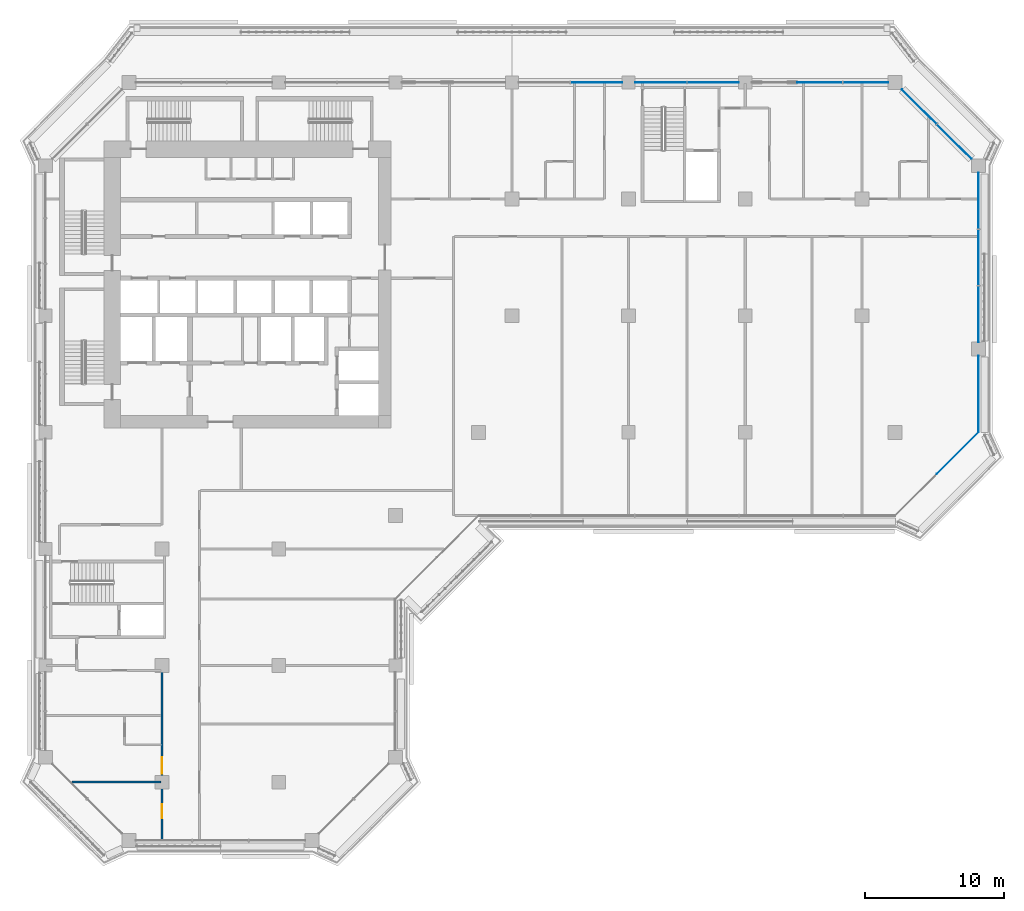
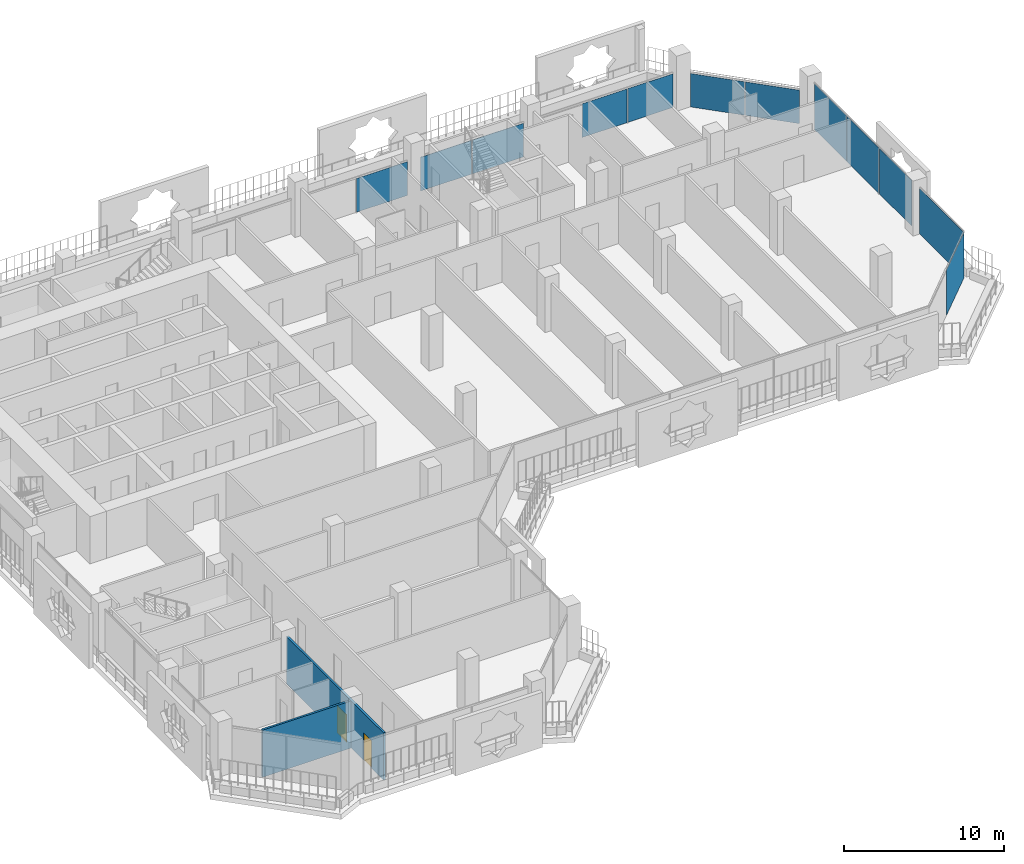
# One storey, part 9 of 21: 12 plates, 2 doors, 2 walls, 2 openings, 4 elements without a shape of their own.
"""IFC4 building model written with IfcOpenShell, lengths in metres."""

from ifc_helpers import new_model, si_unit, direction, frame, frame_2d, origin, origin_2d, place, context, subcontext, project, spatial, rectangle, extrude, material, layer, layer_set, type_object, element, fill, aggregate, save


model = new_model("IFC4")

# Units and contexts
model_context = context("Model", 3, precision=1e-05, world=origin(), true_north=direction((0.0, 1.0)))
body_context = subcontext(model_context, "Body", "Model", "MODEL_VIEW")
ifc_project = project(units=[si_unit("LENGTHUNIT", "METRE"), si_unit("AREAUNIT", "SQUARE_METRE"), si_unit("VOLUMEUNIT", "CUBIC_METRE"), si_unit("PLANEANGLEUNIT", "RADIAN"), si_unit("MASSUNIT", "GRAM", prefix="KILO")], contexts=[model_context])

# Site, building, storey
site_placement = place(None, origin())
site = spatial("IfcSite", under=ifc_project, at=site_placement, CompositionType="ELEMENT")
building_placement = place(site_placement, origin())
building = spatial("IfcBuilding", under=site, at=building_placement, Name="Kawkab Arch Medical Tower", CompositionType="ELEMENT")
storey_placement = place(building_placement, frame((0.0, 0.0, 200.39990234375)))
storey = spatial("IfcBuildingStorey", under=building, at=storey_placement, Name="L46", CompositionType="ELEMENT", Elevation=200.39990234375)

# Curtain wall, plates
ifc_material_1 = material(Name="Bronze anodised aluminium curtain wall frame", Category="aluminium")
ifc_layer_1 = layer(ifc_material_1, 0.159912109375)
ifc_layer_set_1 = layer_set([ifc_layer_1], Name="Bronze anodised aluminium curtain wall frame")
curtain_wall_type_1 = type_object("IfcCurtainWallType", Name="CW1 ward curtain wall", PredefinedType="NOTDEFINED", material=ifc_layer_set_1)
placement = place(storey_placement, origin())
curtain_wall_1 = element("IfcCurtainWall", 1, at=placement, inside=storey, type_object=curtain_wall_type_1, Name="CW1 Ward curtain wall R09", PredefinedType="NOTDEFINED")
ifc_material_2 = material(Name="Tinted insulating glass, bronze low-e coating", Category="glass")
ifc_layer_2 = layer(ifc_material_2, 0.031982421875)
ifc_layer_set_2 = layer_set([ifc_layer_2], Name="Tinted insulating glass, bronze low-e coating")
plate_type_1 = type_object("IfcPlateType", Name="CW1 glazing unit 32", PredefinedType="CURTAIN_PANEL", material=ifc_layer_set_2)
plate_1_placement = place(storey_placement, frame((67.199951171875, -22.449951171875, 0.0), z_axis=(0.0, 0.0, 1.0), x_axis=(0.0, 1.0, 0.0)))
plate_1 = element("IfcPlate", 2, at=plate_1_placement, type_object=plate_type_1, Name="CW1 glazing unit 1.1", PredefinedType="CURTAIN_PANEL", context=body_context, shape_type="SweptSolid", body=[
    extrude(rectangle(XDim=5.5, YDim=0.031982421875, at=origin_2d()), origin(), (0.0, 0.0, 1.0), 3.47998046875),
])
plate_2_placement = place(storey_placement, frame((67.199951171875, -16.681640625, 0.0), z_axis=(0.0, 0.0, 1.0), x_axis=(0.0, 1.0, 0.0)))
plate_2 = element("IfcPlate", 3, at=plate_2_placement, type_object=plate_type_1, Name="CW1 glazing unit 2.1", PredefinedType="CURTAIN_PANEL", context=body_context, shape_type="SweptSolid", body=[
    extrude(rectangle(XDim=4.03662109375, YDim=0.031982421875, at=origin_2d()), origin(), (0.0, 0.0, 1.0), 3.47998046875),
])
plate_3_placement = place(storey_placement, frame((67.199951171875, -12.60009765625, 0.0), z_axis=(0.0, 0.0, 1.0), x_axis=(0.0, 1.0, 0.0)))
plate_3 = element("IfcPlate", 4, at=plate_3_placement, type_object=plate_type_1, Name="CW1 glazing unit 2.2", PredefinedType="CURTAIN_PANEL", context=body_context, shape_type="SweptSolid", body=[
    extrude(rectangle(XDim=4.006591796875, YDim=0.031982421875, at=origin_2d()), origin(), (0.0, 0.0, 1.0), 3.47998046875),
])
plate_4_placement = place(storey_placement, frame((67.199951171875, -8.518310546875, 0.0), z_axis=(0.0, 0.0, 1.0), x_axis=(0.0, 1.0, 0.0)))
plate_4 = element("IfcPlate", 5, at=plate_4_placement, type_object=plate_type_1, Name="CW1 glazing unit 2.3", PredefinedType="CURTAIN_PANEL", context=body_context, shape_type="SweptSolid", body=[
    extrude(rectangle(XDim=4.03662109375, YDim=0.031982421875, at=origin_2d()), origin(), (0.0, 0.0, 1.0), 3.47998046875),
])
aggregate(curtain_wall_1, [plate_1, plate_2, plate_3, plate_4])

curtain_wall_2 = element("IfcCurtainWall", 6, at=placement, inside=storey, type_object=curtain_wall_type_1, Name="CW1 Ward curtain wall R11", PredefinedType="NOTDEFINED")
plate_5_placement = place(storey_placement, frame((59.077392578125, 0.0, 0.0), z_axis=(0.0, 0.0, 1.0), x_axis=(-1.0, 0.0, 0.0)))
plate_5 = element("IfcPlate", 7, at=plate_5_placement, type_object=plate_type_1, Name="CW1 glazing unit 1.1", PredefinedType="CURTAIN_PANEL", context=body_context, shape_type="SweptSolid", body=[
    extrude(rectangle(XDim=3.2451171875, YDim=0.031982421875, at=origin_2d()), origin(), (0.0, 0.0, 1.0), 2.580078125),
])
plate_6_placement = place(storey_placement, frame((55.7724609375, 0.0, 0.0), z_axis=(0.0, 0.0, 1.0), x_axis=(-1.0, 0.0, 0.0)))
plate_6 = element("IfcPlate", 8, at=plate_6_placement, type_object=plate_type_1, Name="CW1 glazing unit 1.2", PredefinedType="CURTAIN_PANEL", context=body_context, shape_type="SweptSolid", body=[
    extrude(rectangle(XDim=3.2451171875, YDim=0.031982421875, at=origin_2d()), origin(), (0.0, 0.0, 1.0), 2.580078125),
])
plate_7_placement = place(storey_placement, frame((48.077392578125, 0.0, 0.0), z_axis=(0.0, 0.0, 1.0), x_axis=(-1.0, 0.0, 0.0)))
plate_7 = element("IfcPlate", 9, at=plate_7_placement, type_object=plate_type_1, Name="CW1 glazing unit 2.1", PredefinedType="CURTAIN_PANEL", context=body_context, shape_type="SweptSolid", body=[
    extrude(rectangle(XDim=3.695068359375, YDim=0.031982421875, at=origin_2d()), origin(), (0.0, 0.0, 1.0), 2.580078125),
])
plate_8_placement = place(storey_placement, frame((44.322509765625, 0.0, 0.0), z_axis=(0.0, 0.0, 1.0), x_axis=(-1.0, 0.0, 0.0)))
plate_8 = element("IfcPlate", 10, at=plate_8_placement, type_object=plate_type_1, Name="CW1 glazing unit 2.2", PredefinedType="CURTAIN_PANEL", context=body_context, shape_type="SweptSolid", body=[
    extrude(rectangle(XDim=3.695068359375, YDim=0.031982421875, at=origin_2d()), origin(), (0.0, 0.0, 1.0), 2.580078125),
])
plate_9_placement = place(storey_placement, frame((39.677490234375, 0.0, 0.0), z_axis=(0.0, 0.0, 1.0), x_axis=(-1.0, 0.0, 0.0)))
plate_9 = element("IfcPlate", 11, at=plate_9_placement, type_object=plate_type_1, Name="CW1 glazing unit 3.1", PredefinedType="CURTAIN_PANEL", context=body_context, shape_type="SweptSolid", body=[
    extrude(rectangle(XDim=3.695068359375, YDim=0.031982421875, at=origin_2d()), origin(), (0.0, 0.0, 1.0), 2.580078125),
])
aggregate(curtain_wall_2, [plate_5, plate_6, plate_7, plate_8, plate_9])

# Curtain wall, plate
ifc_material_3 = material(Name="Bronze anodised aluminium curtain wall frame", Category="aluminium")
ifc_layer_3 = layer(ifc_material_3, 0.159912109375)
ifc_layer_set_3 = layer_set([ifc_layer_3], Name="Bronze anodised aluminium curtain wall frame")
curtain_wall_type_2 = type_object("IfcCurtainWallType", Name="CW2 chamfer curtain wall", PredefinedType="NOTDEFINED", material=ifc_layer_set_3)
curtain_wall_3 = element("IfcCurtainWall", 12, at=placement, inside=storey, type_object=curtain_wall_type_2, Name="CW2 Chamfer curtain wall R08", PredefinedType="NOTDEFINED")
ifc_material_4 = material(Name="Tinted insulating glass, bronze low-e coating", Category="glass")
ifc_layer_4 = layer(ifc_material_4, 0.031982421875)
ifc_layer_set_4 = layer_set([ifc_layer_4], Name="Tinted insulating glass, bronze low-e coating")
plate_type_2 = type_object("IfcPlateType", Name="CW2 glazing unit 32", PredefinedType="CURTAIN_PANEL", material=ifc_layer_set_4)
plate_10_placement = place(storey_placement, frame((65.699951171875, -26.699951171875, 0.0), z_axis=(0.0, 0.0, 1.0), x_axis=(0.707106781187, 0.707106781187, 0.0)))
plate_10 = element("IfcPlate", 13, at=plate_10_placement, type_object=plate_type_2, Name="CW2 glazing unit 2.1", PredefinedType="CURTAIN_PANEL", context=body_context, shape_type="SweptSolid", body=[
    extrude(rectangle(XDim=4.24267578125, YDim=0.031982421875, at=origin_2d()), origin(), (0.0, 0.0, 1.0), 3.4599609375),
])
aggregate(curtain_wall_3, [plate_10])

# Curtain wall, plates
curtain_wall_4 = element("IfcCurtainWall", 14, at=placement, inside=storey, type_object=curtain_wall_type_2, Name="CW2 Chamfer curtain wall R10", PredefinedType="NOTDEFINED")
plate_11_placement = place(storey_placement, frame((65.460693359375, -4.260498046875, 0.0), z_axis=(0.0, 0.0, 1.0), x_axis=(-0.707106781187, 0.707106781187, 0.0)))
plate_11 = element("IfcPlate", 15, at=plate_11_placement, type_object=plate_type_2, Name="CW2 glazing unit 1.1", PredefinedType="CURTAIN_PANEL", context=body_context, shape_type="SweptSolid", body=[
    extrude(rectangle(XDim=3.505615234375, YDim=0.031982421875, at=origin_2d()), origin(), (0.0, 0.0, 1.0), 2.56005859375),
])
plate_12_placement = place(storey_placement, frame((62.939453125, -1.739501953125, 0.0), z_axis=(0.0, 0.0, 1.0), x_axis=(-0.707106781187, 0.707106781187, 0.0)))
plate_12 = element("IfcPlate", 16, at=plate_12_placement, type_object=plate_type_2, Name="CW2 glazing unit 1.2", PredefinedType="CURTAIN_PANEL", context=body_context, shape_type="SweptSolid", body=[
    extrude(rectangle(XDim=3.505615234375, YDim=0.031982421875, at=origin_2d()), origin(), (0.0, 0.0, 1.0), 2.56005859375),
])
aggregate(curtain_wall_4, [plate_11, plate_12])

# Wall
ifc_material_5 = material(Name="Gypsum board partition on steel studs, mineral wool", Category="steel")
ifc_layer_5 = layer(ifc_material_5, 0.14990234375)
ifc_layer_set_5 = layer_set([ifc_layer_5], Name="Gypsum board partition on steel studs, mineral wool")
wall_type = type_object("IfcWallType", Name="Partition 150", PredefinedType="PARTITIONING", material=ifc_layer_set_5)
wall_1_placement = place(storey_placement, frame((1.9130859375, -50.39990234375, 0.0), z_axis=(0.0, 0.0, 1.0), x_axis=(1.0, 0.0, 0.0)))
element("IfcWall", 17, at=wall_1_placement, inside=storey, type_object=wall_type, Name="Partition 150 w007", PredefinedType="PARTITIONING", context=body_context, shape_type="SweptSolid", body=[
    extrude(rectangle(XDim=6.411865234375, YDim=0.14990234375, at=frame_2d((3.2060546875, 0.0))), origin(), (0.0, 0.0, 1.0), 3.60009765625),
])

# Wall, openings, doors
wall_2_placement = place(storey_placement, frame((8.39990234375, -54.52001953125, 0.0), z_axis=(0.0, 0.0, 1.0), x_axis=(0.0, 1.0, 0.0)))
wall_2 = element("IfcWall", 18, at=wall_2_placement, inside=storey, type_object=wall_type, Name="Partition 150 w027", PredefinedType="PARTITIONING", context=body_context, shape_type="SweptSolid", body=[
    extrude(rectangle(XDim=12.169921875, YDim=0.14990234375, at=frame_2d((6.0849609375, 0.0))), origin(), (0.0, 0.0, 1.0), 3.60009765625),
])
opening_1_placement = place(wall_2_placement, frame((4.719970703125, 0.0, 0.0)))
opening_1 = element("IfcOpeningElement", 19, at=opening_1_placement, cuts=wall_2, Name="Opening W41-029", PredefinedType="OPENING", context=body_context, shape_type="SweptSolid", body=[
    extrude(rectangle(XDim=1.199951171875, YDim=2.10009765625, at=frame_2d((0.60009765625, 1.050048828125))), frame((0.0, 0.0849609375, 0.0), z_axis=(0.0, -1.0, 0.0), x_axis=(1.0, 0.0, 0.0)), (0.0, 0.0, 1.0), 0.169921875),
])
opening_2_placement = place(wall_2_placement, frame((1.52001953125, 0.0, 0.0)))
opening_2 = element("IfcOpeningElement", 20, at=opening_2_placement, cuts=wall_2, Name="Opening W41-019", PredefinedType="OPENING", context=body_context, shape_type="SweptSolid", body=[
    extrude(rectangle(XDim=1.0, YDim=2.10009765625, at=frame_2d((0.5, 1.050048828125))), frame((0.0, 0.0849609375, 0.0), z_axis=(0.0, -1.0, 0.0), x_axis=(1.0, 0.0, 0.0)), (0.0, 0.0, 1.0), 0.169921875),
])
ifc_material_6 = material(Name="Hollow metal door leaf")
door_type_1 = type_object("IfcDoorType", Name="Single door 1000x2100 FD30S", OperationType="NOTDEFINED", PredefinedType="DOOR", material=ifc_material_6)
door_1_placement = place(opening_2_placement, origin())
door_1 = element("IfcDoor", 21, at=door_1_placement, inside=storey, type_object=door_type_1, Name="Door W41-019", OperationType="SINGLE_SWING_LEFT", OverallHeight=2.10009765625, OverallWidth=1.0, PredefinedType="DOOR", context=body_context, shape_type="SweptSolid", body=[
    extrude(rectangle(XDim=1.0, YDim=2.10009765625, at=frame_2d((0.5, 1.050048828125))), frame((0.0, 0.02490234375, 0.0), z_axis=(0.0, -1.0, 0.0), x_axis=(1.0, 0.0, 0.0)), (0.0, 0.0, 1.0), 0.050048828125),
])
fill(opening_2, door_1)
ifc_material_7 = material(Name="Hollow metal door leaf")
door_type_2 = type_object("IfcDoorType", Name="Single door 1200x2100 FD30S", OperationType="NOTDEFINED", PredefinedType="DOOR", material=ifc_material_7)
door_2_placement = place(opening_1_placement, origin())
door_2 = element("IfcDoor", 22, at=door_2_placement, inside=storey, type_object=door_type_2, Name="Door W41-029", OperationType="SINGLE_SWING_LEFT", OverallHeight=2.10009765625, OverallWidth=1.199951171875, PredefinedType="DOOR", context=body_context, shape_type="SweptSolid", body=[
    extrude(rectangle(XDim=1.199951171875, YDim=2.10009765625, at=frame_2d((0.60009765625, 1.050048828125))), frame((0.0, 0.02490234375, 0.0), z_axis=(0.0, -1.0, 0.0), x_axis=(1.0, 0.0, 0.0)), (0.0, 0.0, 1.0), 0.050048828125),
])
fill(opening_1, door_2)

save(model, "model.ifc")
